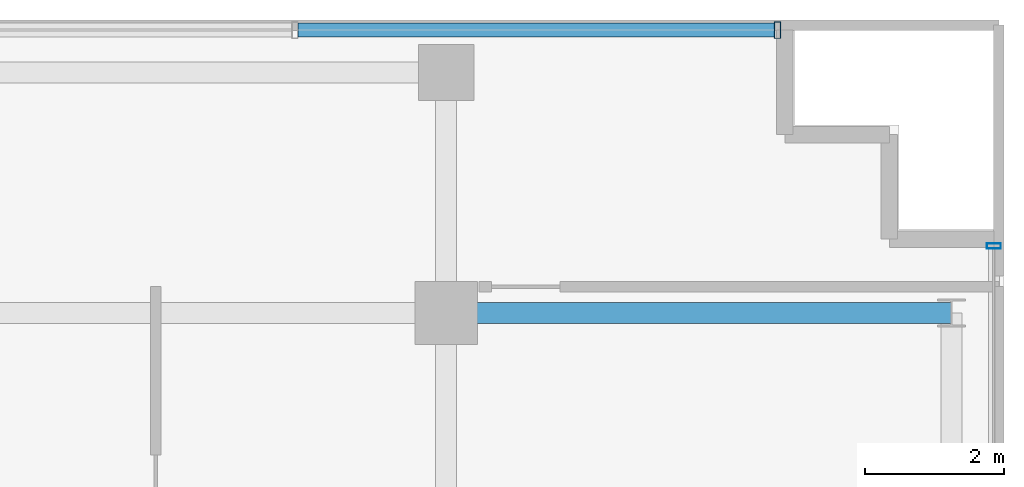
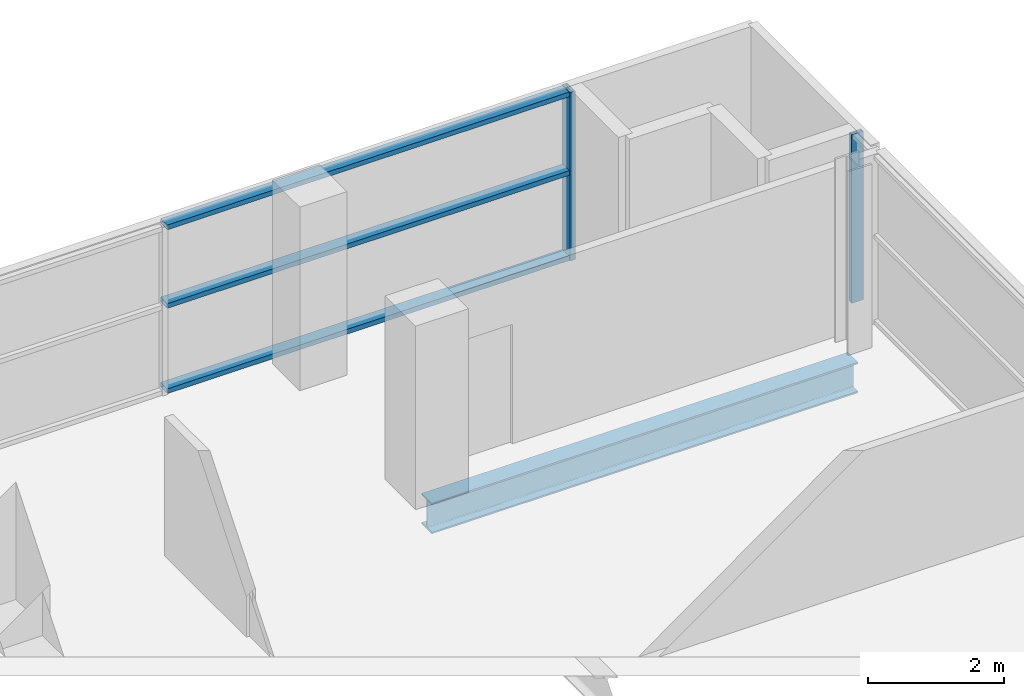
# One storey, part 13 of 22: 5 members, 1 beam, 2 elements without a shape of their own.
"""IFC4 building model written with IfcOpenShell, lengths in metres."""

from ifc_helpers import new_model, si_unit, direction, frame, origin, origin_2d, place, context, subcontext, project, spatial, hollow_rectangle, i_section, extrude, source, transform, mapped, material, layer, layer_set, material_profile, profile_set, type_object, element, aggregate, save


model = new_model("IFC4")

# Units and contexts
model_context = context("Model", 3, precision=1e-05, world=origin(), true_north=direction((0.0, 1.0)))
body_context = subcontext(model_context, "Body", "Model", "MODEL_VIEW")
ifc_project = project(units=[si_unit("LENGTHUNIT", "METRE"), si_unit("AREAUNIT", "SQUARE_METRE"), si_unit("VOLUMEUNIT", "CUBIC_METRE"), si_unit("PLANEANGLEUNIT", "RADIAN"), si_unit("MASSUNIT", "GRAM", prefix="KILO")], contexts=[model_context])

# Site, building, storey
site_placement = place(None, origin())
site = spatial("IfcSite", under=ifc_project, at=site_placement, CompositionType="ELEMENT")
building_placement = place(site_placement, origin())
building = spatial("IfcBuilding", under=site, at=building_placement, Name="Zarnakvel Exchange Tower", CompositionType="ELEMENT")
storey_placement = place(building_placement, frame((0.0, 0.0, 136.300048828125)))
storey = spatial("IfcBuildingStorey", under=building, at=storey_placement, Name="L38", CompositionType="ELEMENT", Elevation=136.300048828125)

# Beam
ifc_material_1 = material(Name="Steel S355", Category="steel")
ifc_material_profile_1 = material_profile(ifc_material_1, i_section(OverallWidth=0.300048828125, OverallDepth=0.550048828125, WebThickness=0.014892578125, FlangeThickness=0.029052734375, FilletRadius=0.027099609375, at=origin_2d()))
ifc_profile_set_1 = profile_set([ifc_material_profile_1], Name="Steel S355")
beam_type = type_object("IfcBeamType", Name="G-05", PredefinedType="BEAM", material=ifc_profile_set_1)
beam_placement = place(storey_placement, frame((21.60009765625, 13.5, -0.5), z_axis=(1.0, 0.0, 0.0), x_axis=(0.0, 1.0, 0.0)))
element("IfcBeam", 1, at=beam_placement, inside=storey, type_object=beam_type, Name="L38 Tower E-W Frame Beam", PredefinedType="BEAM", context=body_context, shape_type="SweptSolid", body=[
    extrude(i_section(OverallWidth=0.300048828125, OverallDepth=0.550048828125, WebThickness=0.014892578125, FlangeThickness=0.029052734375, FilletRadius=0.027099609375, at=origin_2d()), origin(), (0.0, 0.0, 1.0), 7.25),
])

# Curtain wall, member
ifc_material_2 = material(Name="Architectural Bronze Anodised Aluminium", Category="aluminium")
ifc_layer_1 = layer(ifc_material_2, 0.239990234375)
ifc_layer_set_1 = layer_set([ifc_layer_1], Name="Architectural Bronze Anodised Aluminium")
curtain_wall_type_1 = type_object("IfcCurtainWallType", Name="CW-02", PredefinedType="NOTDEFINED", material=ifc_layer_set_1)
curtain_wall_1_placement = place(storey_placement, origin())
curtain_wall_1 = element("IfcCurtainWall", 2, at=curtain_wall_1_placement, inside=storey, type_object=curtain_wall_type_1, Name="L38 Curtain Wall CW-L38-N1 (CW-02)", PredefinedType="NOTDEFINED")
ifc_material_profile_2 = material_profile(ifc_material_2, hollow_rectangle(XDim=0.239990234375, YDim=0.090087890625, WallThickness=0.006103515625, at=origin_2d()))
ifc_profile_set_2 = profile_set([ifc_material_profile_2], Name="Architectural Bronze Anodised Aluminium")
member_type_1 = type_object("IfcMemberType", Name="CWM-02", PredefinedType="MULLION", material=ifc_profile_set_2)
shared_shape_1 = source(origin(), body_context, "Body", "SweptSolid", [
    extrude(hollow_rectangle(XDim=0.239990234375, YDim=0.090087890625, WallThickness=0.006103515625, at=origin_2d()), origin(), (0.0, 0.0, 1.0), 3.030029296875),
])
member_1_placement = place(storey_placement, frame((26.35498046875, 17.56005859375, 0.0), z_axis=(0.0, 0.0, 1.0), x_axis=(0.0, 1.0, 0.0)))
member_1 = element("IfcMember", 3, at=member_1_placement, type_object=member_type_1, Name="CW-02 mullion 8", PredefinedType="MULLION", context=body_context, shape_type="MappedRepresentation", body=[
    mapped(shared_shape_1, transform((0.0, 0.0, 0.0), x_axis=(1.0, 0.0, 0.0), y_axis=(0.0, 1.0, 0.0), z_axis=(0.0, 0.0, 1.0), scale=1.0)),
])

ifc_layer_2 = layer(ifc_material_2, 0.199951171875)
ifc_layer_set_2 = layer_set([ifc_layer_2], Name="Architectural Bronze Anodised Aluminium")
curtain_wall_type_2 = type_object("IfcCurtainWallType", Name="CW-04", PredefinedType="NOTDEFINED", material=ifc_layer_set_2)
curtain_wall_2_placement = place(storey_placement, origin())
curtain_wall_2 = element("IfcCurtainWall", 4, at=curtain_wall_2_placement, inside=storey, type_object=curtain_wall_type_2, Name="L38 Curtain Wall CW-L38-E1 (CW-04)", PredefinedType="NOTDEFINED")
ifc_material_profile_3 = material_profile(ifc_material_2, hollow_rectangle(XDim=0.199951171875, YDim=0.074951171875, WallThickness=0.0048828125, at=origin_2d()))
ifc_profile_set_3 = profile_set([ifc_material_profile_3], Name="Architectural Bronze Anodised Aluminium")
member_type_2 = type_object("IfcMemberType", Name="CWM-04", PredefinedType="MULLION", material=ifc_profile_set_3)
shared_shape_2 = source(origin(), body_context, "Body", "SweptSolid", [
    extrude(hollow_rectangle(XDim=0.199951171875, YDim=0.074951171875, WallThickness=0.0048828125, at=origin_2d()), origin(), (0.0, 0.0, 1.0), 3.030029296875),
])
member_2_placement = place(storey_placement, frame((29.4599609375, 14.46240234375, 0.0), z_axis=(0.0, 0.0, 1.0), x_axis=(-1.0, 0.0, 0.0)))
member_2 = element("IfcMember", 5, at=member_2_placement, type_object=member_type_2, Name="CW-04 mullion 5", PredefinedType="MULLION", context=body_context, shape_type="MappedRepresentation", body=[
    mapped(shared_shape_2, transform((0.0, 0.0, 0.0), x_axis=(1.0, 0.0, 0.0), y_axis=(0.0, 1.0, 0.0), z_axis=(0.0, 0.0, 1.0), scale=1.0)),
])
aggregate(curtain_wall_2, [member_2])

# Member
ifc_material_profile_4 = material_profile(ifc_material_2, hollow_rectangle(XDim=0.199951171875, YDim=0.0849609375, WallThickness=0.0048828125, at=origin_2d()))
ifc_profile_set_4 = profile_set([ifc_material_profile_4], Name="Architectural Bronze Anodised Aluminium")
member_type_3 = type_object("IfcMemberType", Name="CWT-02", PredefinedType="USERDEFINED", material=ifc_profile_set_4)
shared_shape_3 = source(origin(), body_context, "Body", "SweptSolid", [
    extrude(hollow_rectangle(XDim=0.199951171875, YDim=0.0849609375, WallThickness=0.0048828125, at=origin_2d()), origin(), (0.0, 0.0, 1.0), 6.83642578125),
])
member_3_placement = place(storey_placement, frame((19.4736328125, 17.56005859375, 0.04248046875), z_axis=(1.0, 0.0, 0.0), x_axis=(0.0, 1.0, 0.0)))
member_3 = element("IfcMember", 6, at=member_3_placement, type_object=member_type_3, Name="CW-02 transom 7.1", ObjectType="TRANSOM", PredefinedType="USERDEFINED", context=body_context, shape_type="MappedRepresentation", body=[
    mapped(shared_shape_3, transform((0.0, 0.0, 0.0), x_axis=(1.0, 0.0, 0.0), y_axis=(0.0, 1.0, 0.0), z_axis=(0.0, 0.0, 1.0), scale=1.0)),
])

member_4_placement = place(storey_placement, frame((19.4736328125, 17.56005859375, 1.575439453125), z_axis=(1.0, 0.0, 0.0), x_axis=(0.0, 1.0, 0.0)))
member_4 = element("IfcMember", 7, at=member_4_placement, type_object=member_type_3, Name="CW-02 transom 7.2", ObjectType="TRANSOM", PredefinedType="USERDEFINED", context=body_context, shape_type="MappedRepresentation", body=[
    mapped(shared_shape_3, transform((0.0, 0.0, 0.0), x_axis=(1.0, 0.0, 0.0), y_axis=(0.0, 1.0, 0.0), z_axis=(0.0, 0.0, 1.0), scale=1.0)),
])

member_5_placement = place(storey_placement, frame((19.4736328125, 17.56005859375, 2.987548828125), z_axis=(1.0, 0.0, 0.0), x_axis=(0.0, 1.0, 0.0)))
member_5 = element("IfcMember", 8, at=member_5_placement, type_object=member_type_3, Name="CW-02 transom 7.3", ObjectType="TRANSOM", PredefinedType="USERDEFINED", context=body_context, shape_type="MappedRepresentation", body=[
    mapped(shared_shape_3, transform((0.0, 0.0, 0.0), x_axis=(1.0, 0.0, 0.0), y_axis=(0.0, 1.0, 0.0), z_axis=(0.0, 0.0, 1.0), scale=1.0)),
])

aggregate(curtain_wall_1, [member_1, member_3, member_4, member_5])

save(model, "model.ifc")
